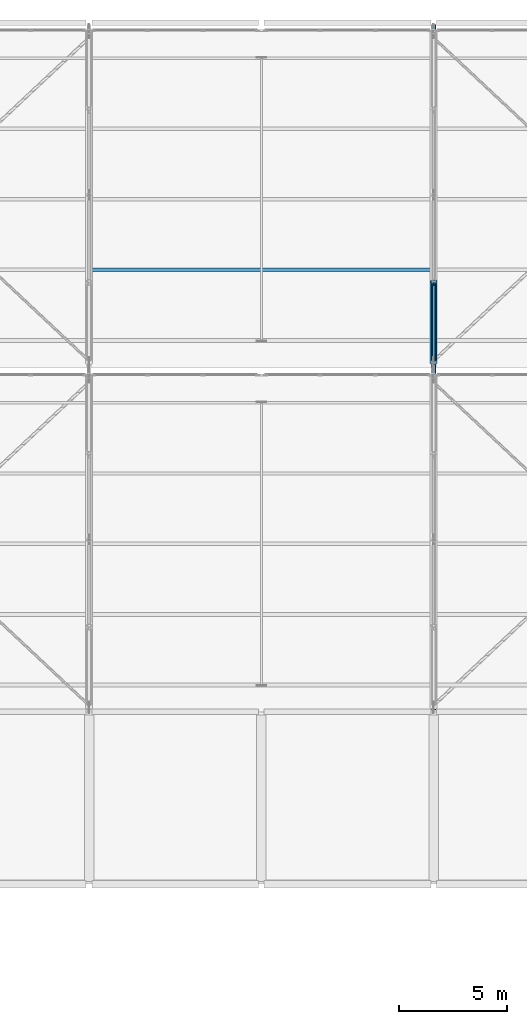
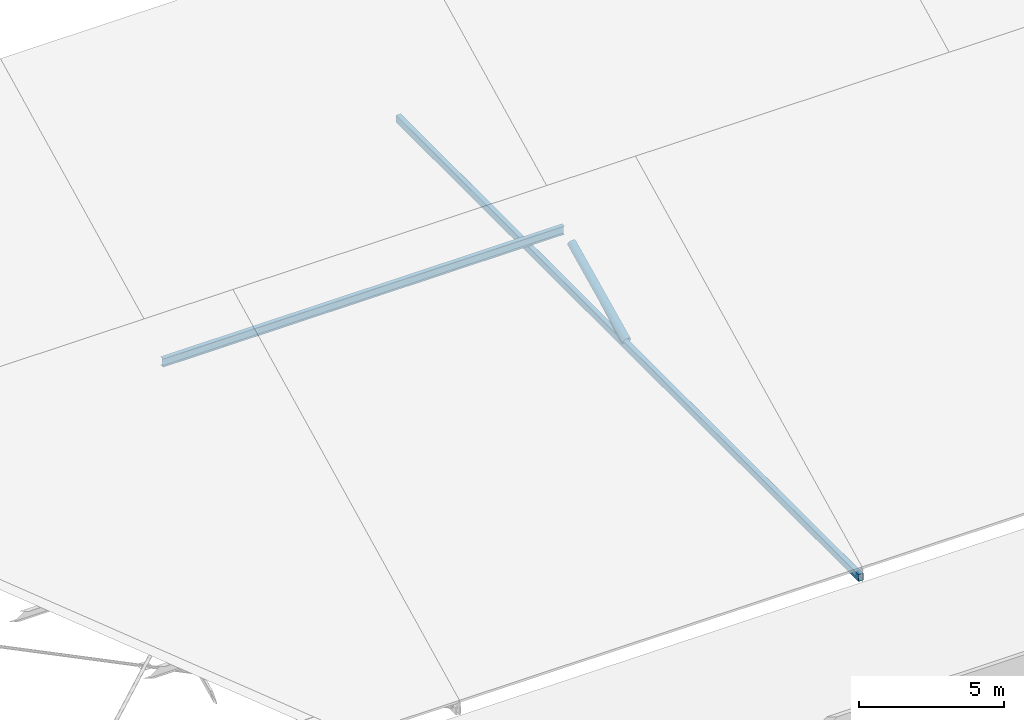
# One storey, part 75 of 137: 3 members, 1 beam.
"""IFC4 building model written with IfcOpenShell, lengths in metres."""

from ifc_helpers import new_model, si_unit, direction, frame, origin, origin_2d, place, context, subcontext, project, spatial, hollow_rectangle, hollow_circle, i_section, extrude, material, material_profile, profile_set, type_object, element, save


model = new_model("IFC4")

# Units and contexts
model_context = context("Model", 3, precision=1e-05, world=origin(), true_north=direction((0.0, 1.0)))
body_context = subcontext(model_context, "Body", "Model", "MODEL_VIEW")
ifc_project = project(units=[si_unit("LENGTHUNIT", "METRE"), si_unit("AREAUNIT", "SQUARE_METRE"), si_unit("VOLUMEUNIT", "CUBIC_METRE"), si_unit("PLANEANGLEUNIT", "RADIAN"), si_unit("MASSUNIT", "GRAM", prefix="KILO")], contexts=[model_context])

# Site, building, storey
site_placement = place(None, origin())
site = spatial("IfcSite", under=ifc_project, at=site_placement, CompositionType="ELEMENT")
building_placement = place(site_placement, origin())
building = spatial("IfcBuilding", under=site, at=building_placement, Name="Jelvoka-Kovrelna Polytechnic", CompositionType="ELEMENT")
storey_placement = place(building_placement, frame((0.0, 0.0, 9.60009765625)))
storey = spatial("IfcBuildingStorey", under=building, at=storey_placement, Name="L03", CompositionType="ELEMENT", Elevation=9.60009765625)

# Members
ifc_material_1 = material(Name="Structural steel S355J2H", Category="steel")
ifc_material_profile_1 = material_profile(ifc_material_1, hollow_circle(Radius=0.109619140625, WallThickness=0.008056640625, at=origin_2d()), Name="219.1x8.0 CHS")
ifc_profile_set_1 = profile_set([ifc_material_profile_1], Name="Structural steel S355J2H")
member_type_1 = type_object("IfcMemberType", Name="Member_Brace_CHS219", PredefinedType="BRACE", material=ifc_profile_set_1)
member_1_placement = place(storey_placement, frame((152.0, 104.340087890625, 0.14990234375), z_axis=(0.0, 0.878084029324, 0.478506465418), x_axis=(-1.0, 0.0, 0.0)))
element("IfcMember", 1, at=member_1_placement, inside=storey, type_object=member_type_1, Name="Sawtooth truss 5 diagonal web 2.1", PredefinedType="BRACE", context=body_context, shape_type="SweptSolid", body=[
    extrude(hollow_circle(Radius=0.109619140625, WallThickness=0.008056640625, at=origin_2d()), origin(), (0.0, 0.0, 1.0), 4.0087890625),
])
ifc_material_2 = material(Name="Structural steel S355J2H", Category="steel")
ifc_material_profile_2 = material_profile(ifc_material_2, hollow_circle(Radius=0.161865234375, WallThickness=0.010009765625, at=origin_2d()), Name="323.9x10.0 CHS")
ifc_profile_set_2 = profile_set([ifc_material_profile_2], Name="Structural steel S355J2H")
member_type_2 = type_object("IfcMemberType", Name="Member_Chord_CHS324", PredefinedType="CHORD", material=ifc_profile_set_2)
member_2_placement = place(storey_placement, frame((152.0, 104.199951171875, 0.31640625), z_axis=(0.0, 0.900803851837, 0.434226231952), x_axis=(-1.0, 0.0, 0.0)))
element("IfcMember", 2, at=member_2_placement, inside=storey, type_object=member_type_2, Name="Sawtooth truss 5 top chord 2.1", PredefinedType="CHORD", context=body_context, shape_type="SweptSolid", body=[
    extrude(hollow_circle(Radius=0.161865234375, WallThickness=0.010009765625, at=origin_2d()), origin(), (0.0, 0.0, 1.0), 4.218505859375),
])
ifc_material_3 = material(Name="Structural steel S355J2H", Category="steel")
ifc_material_profile_3 = material_profile(ifc_material_3, hollow_rectangle(XDim=0.199951171875, YDim=0.300048828125, WallThickness=0.010009765625, InnerFilletRadius=0.010009765625, OuterFilletRadius=0.014892578125, at=origin_2d()), Name="300x200x10.0 RHS")
ifc_profile_set_3 = profile_set([ifc_material_profile_3], Name="Structural steel S355J2H")
member_type_3 = type_object("IfcMemberType", Name="Member_Chord_RHS300", PredefinedType="CHORD", material=ifc_profile_set_3)
member_3_placement = place(storey_placement, frame((152.0, 88.080078125, 0.14990234375), z_axis=(0.0, 1.0, 0.0), x_axis=(-1.0, 0.0, 0.0)))
element("IfcMember", 3, at=member_3_placement, inside=storey, type_object=member_type_3, Name="Sawtooth truss 5 continuous bottom chord", PredefinedType="CHORD", context=body_context, shape_type="SweptSolid", body=[
    extrude(hollow_rectangle(XDim=0.199951171875, YDim=0.300048828125, WallThickness=0.010009765625, InnerFilletRadius=0.010009765625, OuterFilletRadius=0.014892578125, at=origin_2d()), origin(), (0.0, 0.0, 1.0), 31.83984375),
])

# Beam
ifc_material_4 = material(Name="Structural steel S355JR", Category="steel")
ifc_material_profile_4 = material_profile(ifc_material_4, i_section(OverallWidth=0.17138671875, OverallDepth=0.35498046875, WebThickness=0.00732421875, FlangeThickness=0.011474609375, FilletRadius=0.01025390625, at=origin_2d()), Name="356x171x51 UB")
ifc_profile_set_4 = profile_set([ifc_material_profile_4], Name="Structural steel S355JR")
beam_type = type_object("IfcBeamType", Name="Purlin_Steel_UB356", PredefinedType="JOIST", material=ifc_profile_set_4)
beam_placement = place(storey_placement, frame((136.02001953125, 108.52392578125, 2.400634765625), z_axis=(1.0, 0.0, 0.0), x_axis=(0.0, 1.0, 0.0)))
element("IfcBeam", 4, at=beam_placement, inside=storey, type_object=beam_type, Name="Sawtooth roof purlin 037", PredefinedType="JOIST", context=body_context, shape_type="SweptSolid", body=[
    extrude(i_section(OverallWidth=0.17138671875, OverallDepth=0.35498046875, WebThickness=0.00732421875, FlangeThickness=0.011474609375, FilletRadius=0.01025390625, at=origin_2d()), origin(), (0.0, 0.0, 1.0), 15.9599609375),
])

save(model, "model.ifc")
